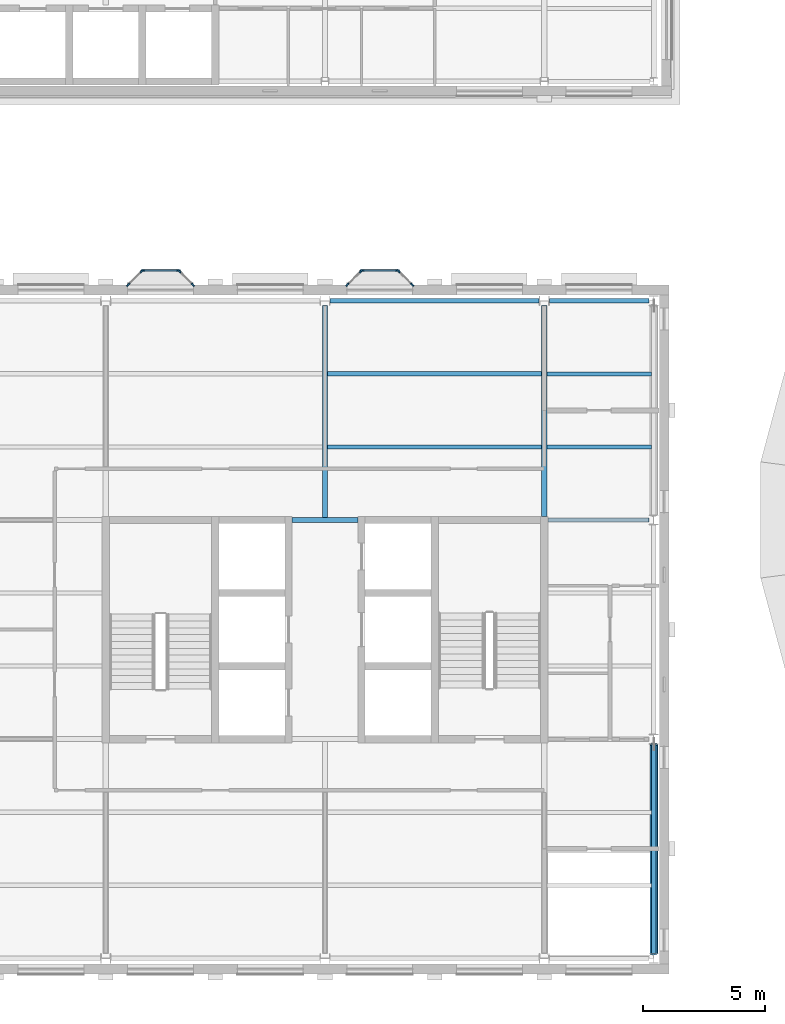
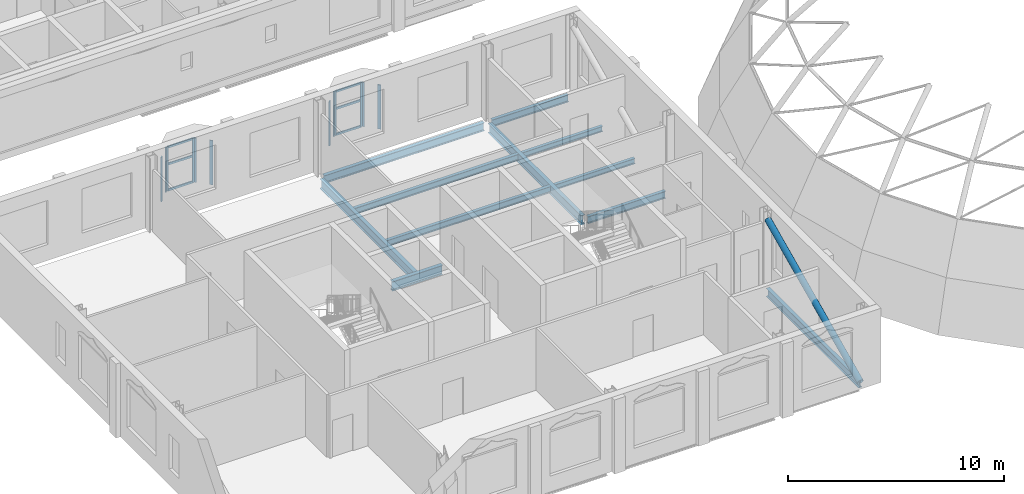
# One storey, part 5 of 62: 19 members, 11 beams, 6 elements without a shape of their own.
"""IFC4 building model written with IfcOpenShell, lengths in metres."""

from ifc_helpers import new_model, si_unit, direction, frame, origin, origin_2d, place, context, subcontext, project, spatial, rectangle, hollow_circle, i_section, extrude, material, layer, layer_set, material_profile, profile_set, type_object, element, aggregate, save


model = new_model("IFC4")

# Units and contexts
model_context = context("Model", 3, precision=1e-05, world=origin(), true_north=direction((0.0, 1.0)))
body_context = subcontext(model_context, "Body", "Model", "MODEL_VIEW")
ifc_project = project(units=[si_unit("LENGTHUNIT", "METRE"), si_unit("AREAUNIT", "SQUARE_METRE"), si_unit("VOLUMEUNIT", "CUBIC_METRE"), si_unit("PLANEANGLEUNIT", "RADIAN"), si_unit("MASSUNIT", "GRAM", prefix="KILO")], contexts=[model_context])

# Site, building, storey
site_placement = place(None, origin())
site = spatial("IfcSite", under=ifc_project, at=site_placement, CompositionType="ELEMENT")
building_placement = place(site_placement, origin())
building = spatial("IfcBuilding", under=site, at=building_placement, Name="Hortulan Conservatory and Botanical Research Centre", CompositionType="ELEMENT")
storey_placement = place(building_placement, frame((0.0, 0.0, 15.0)))
storey = spatial("IfcBuildingStorey", under=building, at=storey_placement, Name="L03", CompositionType="ELEMENT", Elevation=15.0)

# Member
ifc_material_1 = material(Name="Steel Grade C350L0 (350 MPa, AS/NZS 1163)", Category="steel")
ifc_material_profile_1 = material_profile(ifc_material_1, hollow_circle(Radius=0.161865234375, WallThickness=0.009521484375, at=origin_2d()), Name="323.9x9.5CHS")
ifc_profile_set_1 = profile_set([ifc_material_profile_1], Name="Steel Grade C350L0 (350 MPa, AS/NZS 1163)")
member_type_1 = type_object("IfcMemberType", Name="Brace 323.9x9.5CHS", PredefinedType="BRACE", material=ifc_profile_set_1)
member_1_placement = place(storey_placement, frame((31.5, 0.2109375, -0.261474609375), z_axis=(0.0, 0.906191046553, 0.422868522293), x_axis=(-1.0, 0.0, 0.0)))
element("IfcMember", 1, at=member_1_placement, inside=storey, type_object=member_type_1, Name="323.9x9.5CHS brace", PredefinedType="BRACE", context=body_context, shape_type="SweptSolid", body=[
    extrude(hollow_circle(Radius=0.161865234375, WallThickness=0.009521484375, at=origin_2d()), origin(), (0.0, 0.0, 1.0), 9.466064453125),
])

# Curtain wall, members
ifc_material_2 = material(Name="Bronze-finished aluminium", Category="aluminium")
ifc_layer = layer(ifc_material_2, 0.10009765625)
ifc_layer_set = layer_set([ifc_layer], Name="Oriel Curtain Wall 1350 module")
curtain_wall_type = type_object("IfcCurtainWallType", Name="Oriel Curtain Wall 1350 module", PredefinedType="NOTDEFINED", material=ifc_layer_set)
curtain_wall_1_placement = place(storey_placement, origin())
curtain_wall_1 = element("IfcCurtainWall", 2, at=curtain_wall_1_placement, inside=storey, type_object=curtain_wall_type, Name="Oriel glazing", PredefinedType="NOTDEFINED")
ifc_material_profile_2 = material_profile(ifc_material_2, rectangle(XDim=0.06005859375, YDim=0.159912109375, at=origin_2d()), Name="Bronze Mullion 60x160")
ifc_profile_set_2 = profile_set([ifc_material_profile_2], Name="Bronze-finished aluminium")
member_type_2 = type_object("IfcMemberType", Name="Bronze Mullion 60x160", PredefinedType="MULLION", material=ifc_profile_set_2)
member_2_placement = place(storey_placement, frame((9.921142578125, 27.6572265625, 0.89990234375), z_axis=(0.0, 0.0, 1.0), x_axis=(-0.707106781187, 0.707106781187, 0.0)))
member_2 = element("IfcMember", 3, at=member_2_placement, type_object=member_type_2, Name="CW2 mullion 1", PredefinedType="MULLION", context=body_context, shape_type="SweptSolid", body=[
    extrude(rectangle(XDim=0.06005859375, YDim=0.159912109375, at=origin_2d()), origin(), (0.0, 0.0, 1.0), 2.5),
])
member_3_placement = place(storey_placement, frame((10.478759765625, 28.21484375, 0.89990234375), z_axis=(0.0, 0.0, 1.0), x_axis=(-0.707106781187, 0.707106781187, 0.0)))
member_3 = element("IfcMember", 4, at=member_3_placement, type_object=member_type_2, Name="CW2 mullion 2", PredefinedType="MULLION", context=body_context, shape_type="SweptSolid", body=[
    extrude(rectangle(XDim=0.06005859375, YDim=0.159912109375, at=origin_2d()), origin(), (0.0, 0.0, 1.0), 2.5),
])
aggregate(curtain_wall_1, [member_2, member_3])

curtain_wall_2_placement = place(storey_placement, origin())
curtain_wall_2 = element("IfcCurtainWall", 5, at=curtain_wall_2_placement, inside=storey, type_object=curtain_wall_type, Name="Oriel glazing", PredefinedType="NOTDEFINED")
member_4_placement = place(storey_placement, frame((10.530029296875, 28.236083984375, 0.89990234375), z_axis=(0.0, 0.0, 1.0), x_axis=(0.0, 1.0, 0.0)))
member_4 = element("IfcMember", 6, at=member_4_placement, type_object=member_type_2, Name="CW2 mullion 1", PredefinedType="MULLION", context=body_context, shape_type="SweptSolid", body=[
    extrude(rectangle(XDim=0.06005859375, YDim=0.159912109375, at=origin_2d()), origin(), (0.0, 0.0, 1.0), 2.5),
])
member_5_placement = place(storey_placement, frame((11.969970703125, 28.236083984375, 0.89990234375), z_axis=(0.0, 0.0, 1.0), x_axis=(0.0, 1.0, 0.0)))
member_5 = element("IfcMember", 7, at=member_5_placement, type_object=member_type_2, Name="CW2 mullion 2", PredefinedType="MULLION", context=body_context, shape_type="SweptSolid", body=[
    extrude(rectangle(XDim=0.06005859375, YDim=0.159912109375, at=origin_2d()), origin(), (0.0, 0.0, 1.0), 2.5),
])

curtain_wall_3_placement = place(storey_placement, origin())
curtain_wall_3 = element("IfcCurtainWall", 8, at=curtain_wall_3_placement, inside=storey, type_object=curtain_wall_type, Name="Oriel glazing", PredefinedType="NOTDEFINED")
member_6_placement = place(storey_placement, frame((12.021240234375, 28.21484375, 0.89990234375), z_axis=(0.0, 0.0, 1.0), x_axis=(0.707106781187, 0.707106781187, 0.0)))
member_6 = element("IfcMember", 9, at=member_6_placement, type_object=member_type_2, Name="CW2 mullion 1", PredefinedType="MULLION", context=body_context, shape_type="SweptSolid", body=[
    extrude(rectangle(XDim=0.06005859375, YDim=0.159912109375, at=origin_2d()), origin(), (0.0, 0.0, 1.0), 2.5),
])
member_7_placement = place(storey_placement, frame((12.578857421875, 27.6572265625, 0.89990234375), z_axis=(0.0, 0.0, 1.0), x_axis=(0.707106781187, 0.707106781187, 0.0)))
member_7 = element("IfcMember", 10, at=member_7_placement, type_object=member_type_2, Name="CW2 mullion 2", PredefinedType="MULLION", context=body_context, shape_type="SweptSolid", body=[
    extrude(rectangle(XDim=0.06005859375, YDim=0.159912109375, at=origin_2d()), origin(), (0.0, 0.0, 1.0), 2.5),
])
aggregate(curtain_wall_3, [member_6, member_7])

curtain_wall_4_placement = place(storey_placement, origin())
curtain_wall_4 = element("IfcCurtainWall", 11, at=curtain_wall_4_placement, inside=storey, type_object=curtain_wall_type, Name="Oriel glazing", PredefinedType="NOTDEFINED")
member_8_placement = place(storey_placement, frame((18.921142578125, 27.6572265625, 0.89990234375), z_axis=(0.0, 0.0, 1.0), x_axis=(-0.707106781187, 0.707106781187, 0.0)))
member_8 = element("IfcMember", 12, at=member_8_placement, type_object=member_type_2, Name="CW2 mullion 1", PredefinedType="MULLION", context=body_context, shape_type="SweptSolid", body=[
    extrude(rectangle(XDim=0.06005859375, YDim=0.159912109375, at=origin_2d()), origin(), (0.0, 0.0, 1.0), 2.5),
])
member_9_placement = place(storey_placement, frame((19.478759765625, 28.21484375, 0.89990234375), z_axis=(0.0, 0.0, 1.0), x_axis=(-0.707106781187, 0.707106781187, 0.0)))
member_9 = element("IfcMember", 13, at=member_9_placement, type_object=member_type_2, Name="CW2 mullion 2", PredefinedType="MULLION", context=body_context, shape_type="SweptSolid", body=[
    extrude(rectangle(XDim=0.06005859375, YDim=0.159912109375, at=origin_2d()), origin(), (0.0, 0.0, 1.0), 2.5),
])
aggregate(curtain_wall_4, [member_8, member_9])

curtain_wall_5_placement = place(storey_placement, origin())
curtain_wall_5 = element("IfcCurtainWall", 14, at=curtain_wall_5_placement, inside=storey, type_object=curtain_wall_type, Name="Oriel glazing", PredefinedType="NOTDEFINED")
member_10_placement = place(storey_placement, frame((19.530029296875, 28.236083984375, 0.89990234375), z_axis=(0.0, 0.0, 1.0), x_axis=(0.0, 1.0, 0.0)))
member_10 = element("IfcMember", 15, at=member_10_placement, type_object=member_type_2, Name="CW2 mullion 1", PredefinedType="MULLION", context=body_context, shape_type="SweptSolid", body=[
    extrude(rectangle(XDim=0.06005859375, YDim=0.159912109375, at=origin_2d()), origin(), (0.0, 0.0, 1.0), 2.5),
])
member_11_placement = place(storey_placement, frame((20.969970703125, 28.236083984375, 0.89990234375), z_axis=(0.0, 0.0, 1.0), x_axis=(0.0, 1.0, 0.0)))
member_11 = element("IfcMember", 16, at=member_11_placement, type_object=member_type_2, Name="CW2 mullion 2", PredefinedType="MULLION", context=body_context, shape_type="SweptSolid", body=[
    extrude(rectangle(XDim=0.06005859375, YDim=0.159912109375, at=origin_2d()), origin(), (0.0, 0.0, 1.0), 2.5),
])

curtain_wall_6_placement = place(storey_placement, origin())
curtain_wall_6 = element("IfcCurtainWall", 17, at=curtain_wall_6_placement, inside=storey, type_object=curtain_wall_type, Name="Oriel glazing", PredefinedType="NOTDEFINED")
member_12_placement = place(storey_placement, frame((21.021240234375, 28.21484375, 0.89990234375), z_axis=(0.0, 0.0, 1.0), x_axis=(0.707106781187, 0.707106781187, 0.0)))
member_12 = element("IfcMember", 18, at=member_12_placement, type_object=member_type_2, Name="CW2 mullion 1", PredefinedType="MULLION", context=body_context, shape_type="SweptSolid", body=[
    extrude(rectangle(XDim=0.06005859375, YDim=0.159912109375, at=origin_2d()), origin(), (0.0, 0.0, 1.0), 2.5),
])
member_13_placement = place(storey_placement, frame((21.578857421875, 27.6572265625, 0.89990234375), z_axis=(0.0, 0.0, 1.0), x_axis=(0.707106781187, 0.707106781187, 0.0)))
member_13 = element("IfcMember", 19, at=member_13_placement, type_object=member_type_2, Name="CW2 mullion 2", PredefinedType="MULLION", context=body_context, shape_type="SweptSolid", body=[
    extrude(rectangle(XDim=0.06005859375, YDim=0.159912109375, at=origin_2d()), origin(), (0.0, 0.0, 1.0), 2.5),
])
aggregate(curtain_wall_6, [member_12, member_13])

# Member
ifc_material_profile_3 = material_profile(ifc_material_2, rectangle(XDim=0.06005859375, YDim=0.1201171875, at=origin_2d()), Name="Bronze Transom 60x120")
ifc_profile_set_3 = profile_set([ifc_material_profile_3], Name="Bronze-finished aluminium")
member_type_3 = type_object("IfcMemberType", Name="Bronze Transom 60x120", PredefinedType="USERDEFINED", material=ifc_profile_set_3)
member_14_placement = place(storey_placement, frame((10.56005859375, 28.236083984375, 0.929931640625), z_axis=(1.0, 0.0, 0.0), x_axis=(0.0, 1.0, 0.0)))
member_14 = element("IfcMember", 20, at=member_14_placement, type_object=member_type_3, Name="CW2 transom 1.1", ObjectType="TRANSOM", PredefinedType="USERDEFINED", context=body_context, shape_type="SweptSolid", body=[
    extrude(rectangle(XDim=0.06005859375, YDim=0.1201171875, at=origin_2d()), origin(), (0.0, 0.0, 1.0), 1.3798828125),
])

member_15_placement = place(storey_placement, frame((10.56005859375, 28.236083984375, 2.39990234375), z_axis=(1.0, 0.0, 0.0), x_axis=(0.0, 1.0, 0.0)))
member_15 = element("IfcMember", 21, at=member_15_placement, type_object=member_type_3, Name="CW2 transom 1.2", ObjectType="TRANSOM", PredefinedType="USERDEFINED", context=body_context, shape_type="SweptSolid", body=[
    extrude(rectangle(XDim=0.06005859375, YDim=0.1201171875, at=origin_2d()), origin(), (0.0, 0.0, 1.0), 1.3798828125),
])

member_16_placement = place(storey_placement, frame((10.56005859375, 28.236083984375, 3.3701171875), z_axis=(1.0, 0.0, 0.0), x_axis=(0.0, 1.0, 0.0)))
member_16 = element("IfcMember", 22, at=member_16_placement, type_object=member_type_3, Name="CW2 transom 1.3", ObjectType="TRANSOM", PredefinedType="USERDEFINED", context=body_context, shape_type="SweptSolid", body=[
    extrude(rectangle(XDim=0.06005859375, YDim=0.1201171875, at=origin_2d()), origin(), (0.0, 0.0, 1.0), 1.3798828125),
])

aggregate(curtain_wall_2, [member_4, member_5, member_14, member_15, member_16])

member_17_placement = place(storey_placement, frame((19.56005859375, 28.236083984375, 0.929931640625), z_axis=(1.0, 0.0, 0.0), x_axis=(0.0, 1.0, 0.0)))
member_17 = element("IfcMember", 23, at=member_17_placement, type_object=member_type_3, Name="CW2 transom 1.1", ObjectType="TRANSOM", PredefinedType="USERDEFINED", context=body_context, shape_type="SweptSolid", body=[
    extrude(rectangle(XDim=0.06005859375, YDim=0.1201171875, at=origin_2d()), origin(), (0.0, 0.0, 1.0), 1.3798828125),
])

member_18_placement = place(storey_placement, frame((19.56005859375, 28.236083984375, 2.39990234375), z_axis=(1.0, 0.0, 0.0), x_axis=(0.0, 1.0, 0.0)))
member_18 = element("IfcMember", 24, at=member_18_placement, type_object=member_type_3, Name="CW2 transom 1.2", ObjectType="TRANSOM", PredefinedType="USERDEFINED", context=body_context, shape_type="SweptSolid", body=[
    extrude(rectangle(XDim=0.06005859375, YDim=0.1201171875, at=origin_2d()), origin(), (0.0, 0.0, 1.0), 1.3798828125),
])

member_19_placement = place(storey_placement, frame((19.56005859375, 28.236083984375, 3.3701171875), z_axis=(1.0, 0.0, 0.0), x_axis=(0.0, 1.0, 0.0)))
member_19 = element("IfcMember", 25, at=member_19_placement, type_object=member_type_3, Name="CW2 transom 1.3", ObjectType="TRANSOM", PredefinedType="USERDEFINED", context=body_context, shape_type="SweptSolid", body=[
    extrude(rectangle(XDim=0.06005859375, YDim=0.1201171875, at=origin_2d()), origin(), (0.0, 0.0, 1.0), 1.3798828125),
])

aggregate(curtain_wall_5, [member_10, member_11, member_17, member_18, member_19])

# Beams
ifc_material_3 = material(Name="Steel Grade 300PLUS (AS/NZS 3679.1, 280 MPa minimum yield)", Category="steel")
ifc_material_profile_4 = material_profile(ifc_material_3, i_section(OverallWidth=0.177978515625, OverallDepth=0.403076171875, WebThickness=0.007568359375, FlangeThickness=0.010986328125, FilletRadius=0.011474609375, at=origin_2d()), Name="410UB53.7")
ifc_profile_set_4 = profile_set([ifc_material_profile_4], Name="Steel Grade 300PLUS (AS/NZS 3679.1, 280 MPa minimum yield)")
beam_type_1 = type_object("IfcBeamType", Name="Primary Beam 410UB53.7", PredefinedType="BEAM", material=ifc_profile_set_4)
beam_1_placement = place(storey_placement, frame((27.2109375, 27.0, -0.33154296875), z_axis=(1.0, 0.0, 0.0), x_axis=(0.0, 1.0, 0.0)))
element("IfcBeam", 26, at=beam_1_placement, inside=storey, type_object=beam_type_1, Name="410UB53.7 girder", PredefinedType="BEAM", context=body_context, shape_type="SweptSolid", body=[
    extrude(i_section(OverallWidth=0.177978515625, OverallDepth=0.403076171875, WebThickness=0.007568359375, FlangeThickness=0.010986328125, FilletRadius=0.011474609375, at=origin_2d()), origin(), (0.0, 0.0, 1.0), 4.089111328125),
])
beam_2_placement = place(storey_placement, frame((27.14990234375, 18.0, -0.33154296875), z_axis=(1.0, 0.0, 0.0), x_axis=(0.0, 1.0, 0.0)))
element("IfcBeam", 27, at=beam_2_placement, inside=storey, type_object=beam_type_1, Name="410UB53.7 girder", PredefinedType="BEAM", context=body_context, shape_type="SweptSolid", body=[
    extrude(i_section(OverallWidth=0.177978515625, OverallDepth=0.403076171875, WebThickness=0.007568359375, FlangeThickness=0.010986328125, FilletRadius=0.011474609375, at=origin_2d()), origin(), (0.0, 0.0, 1.0), 4.150146484375),
])
ifc_material_profile_5 = material_profile(ifc_material_3, i_section(OverallWidth=0.19091796875, OverallDepth=0.4599609375, WebThickness=0.010009765625, FlangeThickness=0.01611328125, FilletRadius=0.011474609375, at=origin_2d()), Name="460UB82.1")
ifc_profile_set_5 = profile_set([ifc_material_profile_5], Name="Steel Grade 300PLUS (AS/NZS 3679.1, 280 MPa minimum yield)")
beam_type_2 = type_object("IfcBeamType", Name="Primary Beam 460UB82.1", PredefinedType="BEAM", material=ifc_profile_set_5)
for number, where, z_axis, x_axis, name in (
    (28, (18.2109375, 27.0, -0.360107421875), (1.0, 0.0, 0.0), (0.0, 1.0, 0.0), "460UB82.1 girder"),
    (29, (31.5, 0.2109375, -0.360107421875), (0.0, 1.0, 0.0), (-1.0, 0.0, 0.0), "460UB82.1 girder"),
):
    element("IfcBeam", number, at=place(storey_placement, frame(where, z_axis=z_axis, x_axis=x_axis)), inside=storey, type_object=beam_type_2, Name=name, PredefinedType="BEAM", context=body_context, shape_type="SweptSolid", body=[
        extrude(i_section(OverallWidth=0.19091796875, OverallDepth=0.4599609375, WebThickness=0.010009765625, FlangeThickness=0.01611328125, FilletRadius=0.011474609375, at=origin_2d()), origin(), (0.0, 0.0, 1.0), 8.578125),
    ])
ifc_material_profile_6 = material_profile(ifc_material_3, i_section(OverallWidth=0.208984375, OverallDepth=0.532958984375, WebThickness=0.01025390625, FlangeThickness=0.015625, FilletRadius=0.013916015625, at=origin_2d()), Name="530UB92.4")
ifc_profile_set_6 = profile_set([ifc_material_profile_6], Name="Steel Grade 300PLUS (AS/NZS 3679.1, 280 MPa minimum yield)")
beam_type_3 = type_object("IfcBeamType", Name="Primary Beam 530UB92.4", PredefinedType="BEAM", material=ifc_profile_set_6)
beam_3_placement = place(storey_placement, frame((16.64990234375, 18.0, -0.396484375), z_axis=(1.0, 0.0, 0.0), x_axis=(0.0, 1.0, 0.0)))
element("IfcBeam", 30, at=beam_3_placement, inside=storey, type_object=beam_type_3, Name="530UB92.4 girder", PredefinedType="BEAM", context=body_context, shape_type="SweptSolid", body=[
    extrude(i_section(OverallWidth=0.208984375, OverallDepth=0.532958984375, WebThickness=0.01025390625, FlangeThickness=0.015625, FilletRadius=0.013916015625, at=origin_2d()), origin(), (0.0, 0.0, 1.0), 2.7001953125),
])
beam_4_placement = place(storey_placement, frame((18.0, 18.0, -0.396484375), z_axis=(0.0, 1.0, 0.0), x_axis=(-1.0, 0.0, 0.0)))
element("IfcBeam", 31, at=beam_4_placement, inside=storey, type_object=beam_type_3, Name="530UB92.4 girder", PredefinedType="BEAM", context=body_context, shape_type="SweptSolid", body=[
    extrude(i_section(OverallWidth=0.208984375, OverallDepth=0.532958984375, WebThickness=0.01025390625, FlangeThickness=0.015625, FilletRadius=0.013916015625, at=origin_2d()), origin(), (0.0, 0.0, 1.0), 8.800048828125),
])
beam_5_placement = place(storey_placement, frame((27.0, 18.14990234375, -0.396484375), z_axis=(0.0, 1.0, 0.0), x_axis=(-1.0, 0.0, 0.0)))
element("IfcBeam", 32, at=beam_5_placement, inside=storey, type_object=beam_type_3, Name="530UB92.4 girder", PredefinedType="BEAM", context=body_context, shape_type="SweptSolid", body=[
    extrude(i_section(OverallWidth=0.208984375, OverallDepth=0.532958984375, WebThickness=0.01025390625, FlangeThickness=0.015625, FilletRadius=0.013916015625, at=origin_2d()), origin(), (0.0, 0.0, 1.0), 8.650146484375),
])
ifc_material_profile_7 = material_profile(ifc_material_3, i_section(OverallWidth=0.1650390625, OverallDepth=0.303955078125, WebThickness=0.006103515625, FlangeThickness=0.01025390625, FilletRadius=0.011474609375, at=origin_2d()), Name="310UB40.4")
ifc_profile_set_7 = profile_set([ifc_material_profile_7], Name="Steel Grade 300PLUS (AS/NZS 3679.1, 280 MPa minimum yield)")
beam_type_4 = type_object("IfcBeamType", Name="Secondary Beam 310UB40.4", PredefinedType="JOIST", material=ifc_profile_set_7)
for number, where, z_axis, x_axis, name in (
    (33, (27.1044921875, 21.0, -0.281982421875), (1.0, 0.0, 0.0), (0.0, 1.0, 0.0), "310UB40.4 secondary beam"),
    (34, (27.1044921875, 24.0, -0.281982421875), (1.0, 0.0, 0.0), (0.0, 1.0, 0.0), "310UB40.4 secondary beam"),
):
    element("IfcBeam", number, at=place(storey_placement, frame(where, z_axis=z_axis, x_axis=x_axis)), inside=storey, type_object=beam_type_4, Name=name, PredefinedType="JOIST", context=body_context, shape_type="SweptSolid", body=[
        extrude(i_section(OverallWidth=0.1650390625, OverallDepth=0.303955078125, WebThickness=0.006103515625, FlangeThickness=0.01025390625, FilletRadius=0.011474609375, at=origin_2d()), origin(), (0.0, 0.0, 1.0), 4.300048828125),
    ])
ifc_material_profile_8 = material_profile(ifc_material_3, i_section(OverallWidth=0.172119140625, OverallDepth=0.35888671875, WebThickness=0.008056640625, FlangeThickness=0.012939453125, FilletRadius=0.011474609375, at=origin_2d()), Name="360UB56.7")
ifc_profile_set_8 = profile_set([ifc_material_profile_8], Name="Steel Grade 300PLUS (AS/NZS 3679.1, 280 MPa minimum yield)")
beam_type_5 = type_object("IfcBeamType", Name="Secondary Beam 360UB56.7", PredefinedType="JOIST", material=ifc_profile_set_8)
for number, where, z_axis, x_axis, name in (
    (35, (18.1044921875, 21.0, -0.3095703125), (1.0, 0.0, 0.0), (0.0, 1.0, 0.0), "360UB56.7 secondary beam"),
    (36, (18.1044921875, 24.0, -0.3095703125), (1.0, 0.0, 0.0), (0.0, 1.0, 0.0), "360UB56.7 secondary beam"),
):
    element("IfcBeam", number, at=place(storey_placement, frame(where, z_axis=z_axis, x_axis=x_axis)), inside=storey, type_object=beam_type_5, Name=name, PredefinedType="JOIST", context=body_context, shape_type="SweptSolid", body=[
        extrude(i_section(OverallWidth=0.172119140625, OverallDepth=0.35888671875, WebThickness=0.008056640625, FlangeThickness=0.012939453125, FilletRadius=0.011474609375, at=origin_2d()), origin(), (0.0, 0.0, 1.0), 8.791015625),
    ])

save(model, "model.ifc")
